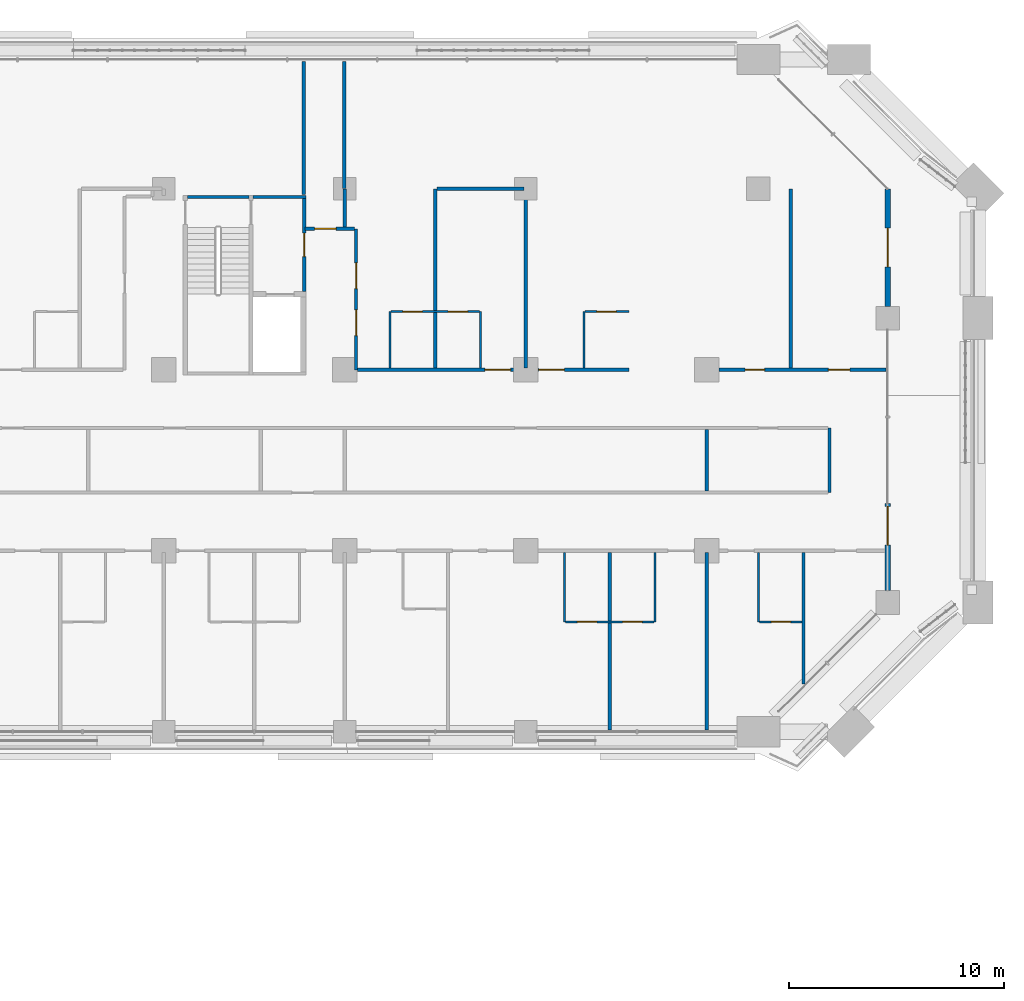
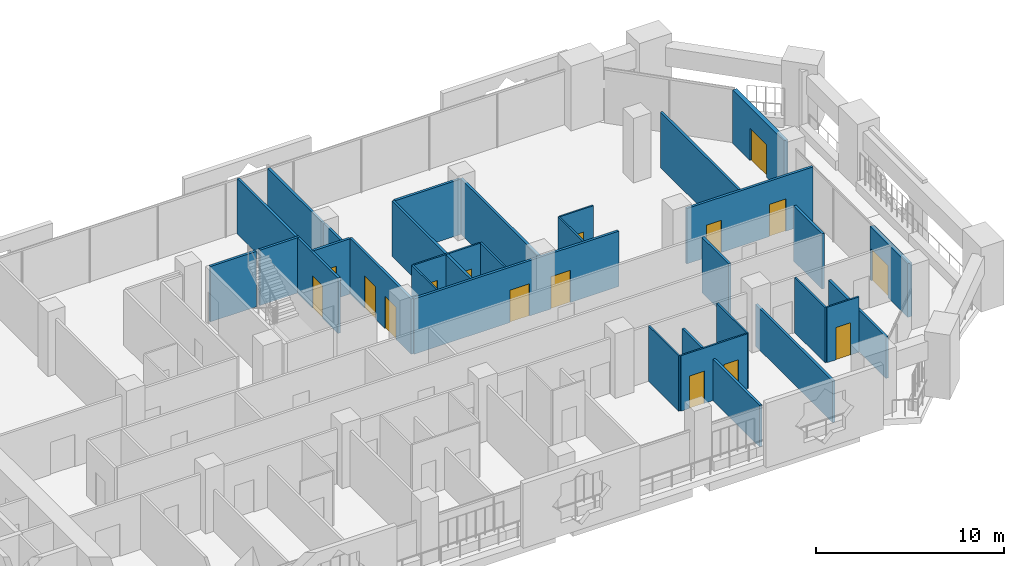
# One storey, part 18 of 27: 31 walls, 16 doors, 16 openings.
"""IFC4 building model written with IfcOpenShell, lengths in metres."""

from ifc_helpers import new_model, si_unit, direction, frame, frame_2d, origin, place, context, subcontext, project, spatial, rectangle, extrude, material, layer, layer_set, type_object, element, fill, save


model = new_model("IFC4")

# Units and contexts
model_context = context("Model", 3, precision=1e-05, world=origin(), true_north=direction((0.0, 1.0)))
body_context = subcontext(model_context, "Body", "Model", "MODEL_VIEW")
ifc_project = project(units=[si_unit("LENGTHUNIT", "METRE"), si_unit("AREAUNIT", "SQUARE_METRE"), si_unit("VOLUMEUNIT", "CUBIC_METRE"), si_unit("PLANEANGLEUNIT", "RADIAN"), si_unit("MASSUNIT", "GRAM", prefix="KILO")], contexts=[model_context])

# Site, building, storey
site_placement = place(None, origin())
site = spatial("IfcSite", under=ifc_project, at=site_placement, CompositionType="ELEMENT")
building_placement = place(site_placement, origin())
building = spatial("IfcBuilding", under=site, at=building_placement, Name="Kawkab Arch Medical Tower", CompositionType="ELEMENT")
storey_placement = place(building_placement, frame((0.0, 0.0, 115.60009765625)))
storey = spatial("IfcBuildingStorey", under=building, at=storey_placement, Name="L26", CompositionType="ELEMENT", Elevation=115.60009765625)

# Wall, opening, door
ifc_material_1 = material(Name="Gypsum board on steel studs", Category="steel")
ifc_layer_1 = layer(ifc_material_1, 0.14990234375)
ifc_layer_set_1 = layer_set([ifc_layer_1], Name="Gypsum board on steel studs")
wall_type_1 = type_object("IfcWallType", Name="Core room partition 150", PredefinedType="PARTITIONING", material=ifc_layer_set_1)
wall_1_placement = place(storey_placement, frame((48.52490234375, -4.77490234375, 0.0), z_axis=(0.0, 0.0, 1.0), x_axis=(0.0, 1.0, 0.0)))
wall_1 = element("IfcWall", 1, at=wall_1_placement, inside=storey, type_object=wall_type_1, Name="L26 core room partition", PredefinedType="PARTITIONING", context=body_context, shape_type="SweptSolid", body=[
    extrude(rectangle(XDim=4.324951171875, YDim=0.14990234375, at=frame_2d((2.16259765625, 0.0))), origin(), (0.0, 0.0, 1.0), 3.599853515625),
])
opening_1_placement = place(wall_1_placement, frame((1.625, 0.0, 0.0)))
opening_1 = element("IfcOpeningElement", 2, at=opening_1_placement, cuts=wall_1, Name="Opening FD", PredefinedType="OPENING", context=body_context, shape_type="SweptSolid", body=[
    extrude(rectangle(XDim=1.10009765625, YDim=2.10009765625, at=frame_2d((0.550048828125, 1.050048828125))), frame((0.0, 0.0849609375, 0.0), z_axis=(0.0, -1.0, 0.0), x_axis=(1.0, 0.0, 0.0)), (0.0, 0.0, 1.0), 0.169921875),
])
ifc_material_2 = material(Name="Hollow metal fire door leaf")
door_type_1 = type_object("IfcDoorType", Name="Firefighting lobby door 1100", OperationType="SINGLE_SWING_LEFT", PredefinedType="DOOR", material=ifc_material_2)
door_1_placement = place(opening_1_placement, origin())
door_1 = element("IfcDoor", 3, at=door_1_placement, inside=storey, type_object=door_type_1, Name="L26 Service lift lobby door SV1", OperationType="SINGLE_SWING_LEFT", OverallHeight=2.10009765625, OverallWidth=1.10009765625, PredefinedType="DOOR", context=body_context, shape_type="SweptSolid", body=[
    extrude(rectangle(XDim=1.10009765625, YDim=2.10009765625, at=frame_2d((0.550048828125, 1.050048828125))), frame((0.0, 0.02490234375, 0.0), z_axis=(0.0, -1.0, 0.0), x_axis=(1.0, 0.0, 0.0)), (0.0, 0.0, 1.0), 0.050048828125),
])
fill(opening_1, door_1)

ifc_material_3 = material(Name="Bronze clad insulated wall panel")
ifc_layer_2 = layer(ifc_material_3, 0.25)
ifc_layer_set_2 = layer_set([ifc_layer_2], Name="Bronze clad insulated wall panel")
wall_type_2 = type_object("IfcWallType", Name="External wall bay 250", PredefinedType="SOLIDWALL", material=ifc_layer_set_2)
wall_2_placement = place(storey_placement, frame((75.60009765625, -18.64990234375, 0.0), z_axis=(0.0, 0.0, 1.0), x_axis=(0.0, 1.0, 0.0)))
wall_2 = element("IfcWall", 4, at=wall_2_placement, inside=storey, type_object=wall_type_2, Name="External wall bay L26.R09.1.1", PredefinedType="SOLIDWALL", context=body_context, shape_type="SweptSolid", body=[
    extrude(rectangle(XDim=4.033203125, YDim=0.25, at=frame_2d((2.0166015625, 0.0))), origin(), (0.0, 0.0, 1.0), 3.47998046875),
])
opening_2_placement = place(wall_2_placement, frame((2.11669921875, 0.0, 0.0)))
opening_2 = element("IfcOpeningElement", 5, at=opening_2_placement, cuts=wall_2, Name="Opening W26-701", PredefinedType="OPENING", context=body_context, shape_type="SweptSolid", body=[
    extrude(rectangle(XDim=1.800048828125, YDim=2.10009765625, at=frame_2d((0.89990234375, 1.050048828125))), frame((0.0, 0.135009765625, 0.0), z_axis=(0.0, -1.0, 0.0), x_axis=(1.0, 0.0, 0.0)), (0.0, 0.0, 1.0), 0.27001953125),
])
ifc_material_4 = material(Name="Bronze anodised aluminium door with tinted glass", Category="aluminium")
door_type_2 = type_object("IfcDoorType", Name="Double external door 1800 x 2100", OperationType="DOUBLE_DOOR_SINGLE_SWING", PredefinedType="DOOR", material=ifc_material_4)
door_2_placement = place(opening_2_placement, origin())
door_2 = element("IfcDoor", 6, at=door_2_placement, inside=storey, type_object=door_type_2, Name="External door L26.R09.1.1", OperationType="DOUBLE_DOOR_SINGLE_SWING", OverallHeight=2.10009765625, OverallWidth=1.800048828125, PredefinedType="DOOR", context=body_context, shape_type="SweptSolid", body=[
    extrude(rectangle(XDim=1.800048828125, YDim=2.10009765625, at=frame_2d((0.89990234375, 1.050048828125))), frame((0.0, 0.02490234375, 0.0), z_axis=(0.0, -1.0, 0.0), x_axis=(1.0, 0.0, 0.0)), (0.0, 0.0, 1.0), 0.050048828125),
])
fill(opening_2, door_2)

wall_3_placement = place(storey_placement, frame((75.60009765625, -5.449951171875, 0.0), z_axis=(0.0, 0.0, 1.0), x_axis=(0.0, 1.0, 0.0)))
wall_3 = element("IfcWall", 7, at=wall_3_placement, inside=storey, type_object=wall_type_2, Name="External wall bay L26.R09.2.1", PredefinedType="SOLIDWALL", context=body_context, shape_type="SweptSolid", body=[
    extrude(rectangle(XDim=5.449951171875, YDim=0.25, at=frame_2d((2.72509765625, 0.0))), origin(), (0.0, 0.0, 1.0), 3.47998046875),
])
opening_3_placement = place(wall_3_placement, frame((1.824951171875, 0.0, 0.0)))
opening_3 = element("IfcOpeningElement", 8, at=opening_3_placement, cuts=wall_3, Name="Opening W26-701", PredefinedType="OPENING", context=body_context, shape_type="SweptSolid", body=[
    extrude(rectangle(XDim=1.800048828125, YDim=2.10009765625, at=frame_2d((0.89990234375, 1.050048828125))), frame((0.0, 0.135009765625, 0.0), z_axis=(0.0, -1.0, 0.0), x_axis=(1.0, 0.0, 0.0)), (0.0, 0.0, 1.0), 0.27001953125),
])
door_3_placement = place(opening_3_placement, origin())
door_3 = element("IfcDoor", 9, at=door_3_placement, inside=storey, type_object=door_type_2, Name="External door L26.R09.2.1", OperationType="DOUBLE_DOOR_SINGLE_SWING", OverallHeight=2.10009765625, OverallWidth=1.800048828125, PredefinedType="DOOR", context=body_context, shape_type="SweptSolid", body=[
    extrude(rectangle(XDim=1.800048828125, YDim=2.10009765625, at=frame_2d((0.89990234375, 1.050048828125))), frame((0.0, 0.02490234375, 0.0), z_axis=(0.0, -1.0, 0.0), x_axis=(1.0, 0.0, 0.0)), (0.0, 0.0, 1.0), 0.050048828125),
])
fill(opening_3, door_3)

# Wall, openings, doors
ifc_material_5 = material(Name="Gypsum board partition on steel studs", Category="steel")
ifc_layer_3 = layer(ifc_material_5, 0.10009765625)
ifc_layer_set_3 = layer_set([ifc_layer_3], Name="Gypsum board partition on steel studs")
wall_type_3 = type_object("IfcWallType", Name="Partition 100", PredefinedType="PARTITIONING", material=ifc_layer_set_3)
wall_4_placement = place(storey_placement, frame((60.652099609375, -20.10009765625, 0.0), z_axis=(0.0, 0.0, 1.0), x_axis=(1.0, 0.0, 0.0)))
wall_4 = element("IfcWall", 10, at=wall_4_placement, inside=storey, type_object=wall_type_3, Name="Partition 100 w007", PredefinedType="PARTITIONING", context=body_context, shape_type="SweptSolid", body=[
    extrude(rectangle(XDim=4.097900390625, YDim=0.10009765625, at=frame_2d((2.048828125, 0.0))), origin(), (0.0, 0.0, 1.0), 3.599853515625),
])
opening_4_placement = place(wall_4_placement, frame((0.549072265625, 0.0, 0.0)))
opening_4 = element("IfcOpeningElement", 11, at=opening_4_placement, cuts=wall_4, Name="Opening W26-017", PredefinedType="OPENING", context=body_context, shape_type="SweptSolid", body=[
    extrude(rectangle(XDim=0.89990234375, YDim=2.10009765625, at=frame_2d((0.449951171875, 1.050048828125))), frame((0.0, 0.06005859375, 0.0), z_axis=(0.0, -1.0, 0.0), x_axis=(1.0, 0.0, 0.0)), (0.0, 0.0, 1.0), 0.1201171875),
])
opening_5_placement = place(wall_4_placement, frame((2.64794921875, 0.0, 0.0)))
opening_5 = element("IfcOpeningElement", 12, at=opening_5_placement, cuts=wall_4, Name="Opening W26-018", PredefinedType="OPENING", context=body_context, shape_type="SweptSolid", body=[
    extrude(rectangle(XDim=0.89990234375, YDim=2.10009765625, at=frame_2d((0.449951171875, 1.050048828125))), frame((0.0, 0.06005859375, 0.0), z_axis=(0.0, -1.0, 0.0), x_axis=(1.0, 0.0, 0.0)), (0.0, 0.0, 1.0), 0.1201171875),
])
ifc_material_6 = material(Name="Timber door leaf", Category="wood")
door_type_3 = type_object("IfcDoorType", Name="Single door 900x2100", OperationType="NOTDEFINED", PredefinedType="DOOR", material=ifc_material_6)
door_4_placement = place(opening_4_placement, origin())
door_4 = element("IfcDoor", 13, at=door_4_placement, inside=storey, type_object=door_type_3, Name="Door W26-017", OperationType="SINGLE_SWING_RIGHT", OverallHeight=2.10009765625, OverallWidth=0.89990234375, PredefinedType="DOOR", context=body_context, shape_type="SweptSolid", body=[
    extrude(rectangle(XDim=0.89990234375, YDim=2.10009765625, at=frame_2d((0.449951171875, 1.050048828125))), frame((0.0, 0.02490234375, 0.0), z_axis=(0.0, -1.0, 0.0), x_axis=(1.0, 0.0, 0.0)), (0.0, 0.0, 1.0), 0.050048828125),
])
fill(opening_4, door_4)
door_5_placement = place(opening_5_placement, origin())
door_5 = element("IfcDoor", 14, at=door_5_placement, inside=storey, type_object=door_type_3, Name="Door W26-018", OperationType="SINGLE_SWING_LEFT", OverallHeight=2.10009765625, OverallWidth=0.89990234375, PredefinedType="DOOR", context=body_context, shape_type="SweptSolid", body=[
    extrude(rectangle(XDim=0.89990234375, YDim=2.10009765625, at=frame_2d((0.449951171875, 1.050048828125))), frame((0.0, 0.02490234375, 0.0), z_axis=(0.0, -1.0, 0.0), x_axis=(1.0, 0.0, 0.0)), (0.0, 0.0, 1.0), 0.050048828125),
])
fill(opening_5, door_5)

# Wall, opening, door
wall_5_placement = place(storey_placement, frame((69.64990234375, -20.10009765625, 0.0), z_axis=(0.0, 0.0, 1.0), x_axis=(1.0, 0.0, 0.0)))
wall_5 = element("IfcWall", 15, at=wall_5_placement, inside=storey, type_object=wall_type_3, Name="Partition 100 w008", PredefinedType="PARTITIONING", context=body_context, shape_type="SweptSolid", body=[
    extrude(rectangle(XDim=1.97509765625, YDim=0.10009765625, at=frame_2d((0.987548828125, 0.0))), origin(), (0.0, 0.0, 1.0), 3.599853515625),
])
opening_6_placement = place(wall_5_placement, frame((0.550048828125, 0.0, 0.0)))
opening_6 = element("IfcOpeningElement", 16, at=opening_6_placement, cuts=wall_5, Name="Opening W26-019", PredefinedType="OPENING", context=body_context, shape_type="SweptSolid", body=[
    extrude(rectangle(XDim=0.89990234375, YDim=2.10009765625, at=frame_2d((0.449951171875, 1.050048828125))), frame((0.0, 0.06005859375, 0.0), z_axis=(0.0, -1.0, 0.0), x_axis=(1.0, 0.0, 0.0)), (0.0, 0.0, 1.0), 0.1201171875),
])
door_6_placement = place(opening_6_placement, origin())
door_6 = element("IfcDoor", 17, at=door_6_placement, inside=storey, type_object=door_type_3, Name="Door W26-019", OperationType="SINGLE_SWING_LEFT", OverallHeight=2.10009765625, OverallWidth=0.89990234375, PredefinedType="DOOR", context=body_context, shape_type="SweptSolid", body=[
    extrude(rectangle(XDim=0.89990234375, YDim=2.10009765625, at=frame_2d((0.449951171875, 1.050048828125))), frame((0.0, 0.02490234375, 0.0), z_axis=(0.0, -1.0, 0.0), x_axis=(1.0, 0.0, 0.0)), (0.0, 0.0, 1.0), 0.050048828125),
])
fill(opening_6, door_6)

# Wall, openings, doors
wall_6_placement = place(storey_placement, frame((52.550048828125, -5.699951171875, 0.0), z_axis=(0.0, 0.0, 1.0), x_axis=(1.0, 0.0, 0.0)))
wall_6 = element("IfcWall", 18, at=wall_6_placement, inside=storey, type_object=wall_type_3, Name="Partition 100 w011", PredefinedType="PARTITIONING", context=body_context, shape_type="SweptSolid", body=[
    extrude(rectangle(XDim=4.099853515625, YDim=0.10009765625, at=frame_2d((2.0498046875, 0.0))), origin(), (0.0, 0.0, 1.0), 3.599853515625),
])
opening_7_placement = place(wall_6_placement, frame((0.550048828125, 0.0, 0.0)))
opening_7 = element("IfcOpeningElement", 19, at=opening_7_placement, cuts=wall_6, Name="Opening W26-007", PredefinedType="OPENING", context=body_context, shape_type="SweptSolid", body=[
    extrude(rectangle(XDim=0.89990234375, YDim=2.10009765625, at=frame_2d((0.449951171875, 1.050048828125))), frame((0.0, 0.06005859375, 0.0), z_axis=(0.0, -1.0, 0.0), x_axis=(1.0, 0.0, 0.0)), (0.0, 0.0, 1.0), 0.1201171875),
])
opening_8_placement = place(wall_6_placement, frame((2.64990234375, 0.0, 0.0)))
opening_8 = element("IfcOpeningElement", 20, at=opening_8_placement, cuts=wall_6, Name="Opening W26-008", PredefinedType="OPENING", context=body_context, shape_type="SweptSolid", body=[
    extrude(rectangle(XDim=0.89990234375, YDim=2.10009765625, at=frame_2d((0.449951171875, 1.050048828125))), frame((0.0, 0.06005859375, 0.0), z_axis=(0.0, -1.0, 0.0), x_axis=(1.0, 0.0, 0.0)), (0.0, 0.0, 1.0), 0.1201171875),
])
door_7_placement = place(opening_7_placement, origin())
door_7 = element("IfcDoor", 21, at=door_7_placement, inside=storey, type_object=door_type_3, Name="Door W26-007", OperationType="SINGLE_SWING_LEFT", OverallHeight=2.10009765625, OverallWidth=0.89990234375, PredefinedType="DOOR", context=body_context, shape_type="SweptSolid", body=[
    extrude(rectangle(XDim=0.89990234375, YDim=2.10009765625, at=frame_2d((0.449951171875, 1.050048828125))), frame((0.0, 0.02490234375, 0.0), z_axis=(0.0, -1.0, 0.0), x_axis=(1.0, 0.0, 0.0)), (0.0, 0.0, 1.0), 0.050048828125),
])
fill(opening_7, door_7)
door_8_placement = place(opening_8_placement, origin())
door_8 = element("IfcDoor", 22, at=door_8_placement, inside=storey, type_object=door_type_3, Name="Door W26-008", OperationType="SINGLE_SWING_RIGHT", OverallHeight=2.10009765625, OverallWidth=0.89990234375, PredefinedType="DOOR", context=body_context, shape_type="SweptSolid", body=[
    extrude(rectangle(XDim=0.89990234375, YDim=2.10009765625, at=frame_2d((0.449951171875, 1.050048828125))), frame((0.0, 0.02490234375, 0.0), z_axis=(0.0, -1.0, 0.0), x_axis=(1.0, 0.0, 0.0)), (0.0, 0.0, 1.0), 0.050048828125),
])
fill(opening_8, door_8)

# Wall, opening, door
wall_7_placement = place(storey_placement, frame((61.550048828125, -5.699951171875, 0.0), z_axis=(0.0, 0.0, 1.0), x_axis=(1.0, 0.0, 0.0)))
wall_7 = element("IfcWall", 23, at=wall_7_placement, inside=storey, type_object=wall_type_3, Name="Partition 100 w012", PredefinedType="PARTITIONING", context=body_context, shape_type="SweptSolid", body=[
    extrude(rectangle(XDim=2.050048828125, YDim=0.10009765625, at=frame_2d((1.02490234375, 0.0))), origin(), (0.0, 0.0, 1.0), 3.599853515625),
])
opening_9_placement = place(wall_7_placement, frame((0.550048828125, 0.0, 0.0)))
opening_9 = element("IfcOpeningElement", 24, at=opening_9_placement, cuts=wall_7, Name="Opening W26-009", PredefinedType="OPENING", context=body_context, shape_type="SweptSolid", body=[
    extrude(rectangle(XDim=0.89990234375, YDim=2.10009765625, at=frame_2d((0.449951171875, 1.050048828125))), frame((0.0, 0.06005859375, 0.0), z_axis=(0.0, -1.0, 0.0), x_axis=(1.0, 0.0, 0.0)), (0.0, 0.0, 1.0), 0.1201171875),
])
door_9_placement = place(opening_9_placement, origin())
door_9 = element("IfcDoor", 25, at=door_9_placement, inside=storey, type_object=door_type_3, Name="Door W26-009", OperationType="SINGLE_SWING_RIGHT", OverallHeight=2.10009765625, OverallWidth=0.89990234375, PredefinedType="DOOR", context=body_context, shape_type="SweptSolid", body=[
    extrude(rectangle(XDim=0.89990234375, YDim=2.10009765625, at=frame_2d((0.449951171875, 1.050048828125))), frame((0.0, 0.02490234375, 0.0), z_axis=(0.0, -1.0, 0.0), x_axis=(1.0, 0.0, 0.0)), (0.0, 0.0, 1.0), 0.050048828125),
])
fill(opening_9, door_9)

# Walls
for number, where, z_axis, x_axis, name in (
    (26, (52.5, -8.324951171875, 0.0), (0.0, 0.0, 1.0), (0.0, 1.0, 0.0), "Partition 100 w020"),
    (27, (56.699951171875, -8.324951171875, 0.0), (0.0, 0.0, 1.0), (0.0, 1.0, 0.0), "Partition 100 w022"),
):
    element("IfcWall", number, at=place(storey_placement, frame(where, z_axis=z_axis, x_axis=x_axis)), inside=storey, type_object=wall_type_3, Name=name, PredefinedType="PARTITIONING", context=body_context, shape_type="SweptSolid", body=[
        extrude(rectangle(XDim=2.625, YDim=0.10009765625, at=frame_2d((1.3125, 0.0))), origin(), (0.0, 0.0, 1.0), 3.599853515625),
    ])
wall_8_placement = place(storey_placement, frame((60.60009765625, -20.09912109375, 0.0), z_axis=(0.0, 0.0, 1.0), x_axis=(0.0, 1.0, 0.0)))
element("IfcWall", 28, at=wall_8_placement, inside=storey, type_object=wall_type_3, Name="Partition 100 w023", PredefinedType="PARTITIONING", context=body_context, shape_type="SweptSolid", body=[
    extrude(rectangle(XDim=3.22412109375, YDim=0.10009765625, at=frame_2d((1.612060546875, 0.0))), origin(), (0.0, 0.0, 1.0), 3.599853515625),
])
wall_9_placement = place(storey_placement, frame((61.5, -8.324951171875, 0.0), z_axis=(0.0, 0.0, 1.0), x_axis=(0.0, 1.0, 0.0)))
element("IfcWall", 29, at=wall_9_placement, inside=storey, type_object=wall_type_3, Name="Partition 100 w024", PredefinedType="PARTITIONING", context=body_context, shape_type="SweptSolid", body=[
    extrude(rectangle(XDim=2.625, YDim=0.10009765625, at=frame_2d((1.3125, 0.0))), origin(), (0.0, 0.0, 1.0), 3.599853515625),
])
for number, where, z_axis, x_axis, name in (
    (30, (64.800048828125, -20.10009765625, 0.0), (0.0, 0.0, 1.0), (0.0, 1.0, 0.0), "Partition 100 w025"),
    (31, (69.60009765625, -20.10009765625, 0.0), (0.0, 0.0, 1.0), (0.0, 1.0, 0.0), "Partition 100 w026"),
):
    element("IfcWall", number, at=place(storey_placement, frame(where, z_axis=z_axis, x_axis=x_axis)), inside=storey, type_object=wall_type_3, Name=name, PredefinedType="PARTITIONING", context=body_context, shape_type="SweptSolid", body=[
        extrude(rectangle(XDim=3.22509765625, YDim=0.10009765625, at=frame_2d((1.612548828125, 0.0))), origin(), (0.0, 0.0, 1.0), 3.599853515625),
    ])

# Wall, openings, doors
ifc_material_7 = material(Name="Gypsum board partition on steel studs, mineral wool", Category="steel")
ifc_layer_4 = layer(ifc_material_7, 0.14990234375)
ifc_layer_set_4 = layer_set([ifc_layer_4], Name="Gypsum board partition on steel studs, mineral wool")
wall_type_4 = type_object("IfcWallType", Name="Partition 150", PredefinedType="PARTITIONING", material=ifc_layer_set_4)
wall_10_placement = place(storey_placement, frame((51.0, -8.39990234375, 0.0), z_axis=(0.0, 0.0, 1.0), x_axis=(1.0, 0.0, 0.0)))
wall_10 = element("IfcWall", 32, at=wall_10_placement, inside=storey, type_object=wall_type_4, Name="Partition 150 w049", PredefinedType="PARTITIONING", context=body_context, shape_type="SweptSolid", body=[
    extrude(rectangle(XDim=12.60009765625, YDim=0.14990234375, at=frame_2d((6.300048828125, 0.0))), origin(), (0.0, 0.0, 1.0), 3.599853515625),
])
opening_10_placement = place(wall_10_placement, frame((5.89990234375, 0.0, 0.0)))
opening_10 = element("IfcOpeningElement", 33, at=opening_10_placement, cuts=wall_10, Name="Opening W26-041", PredefinedType="OPENING", context=body_context, shape_type="SweptSolid", body=[
    extrude(rectangle(XDim=1.199951171875, YDim=2.10009765625, at=frame_2d((0.60009765625, 1.050048828125))), frame((0.0, 0.0849609375, 0.0), z_axis=(0.0, -1.0, 0.0), x_axis=(1.0, 0.0, 0.0)), (0.0, 0.0, 1.0), 0.169921875),
])
opening_11_placement = place(wall_10_placement, frame((8.39990234375, 0.0, 0.0)))
opening_11 = element("IfcOpeningElement", 34, at=opening_11_placement, cuts=wall_10, Name="Opening W26-042", PredefinedType="OPENING", context=body_context, shape_type="SweptSolid", body=[
    extrude(rectangle(XDim=1.199951171875, YDim=2.10009765625, at=frame_2d((0.60009765625, 1.050048828125))), frame((0.0, 0.0849609375, 0.0), z_axis=(0.0, -1.0, 0.0), x_axis=(1.0, 0.0, 0.0)), (0.0, 0.0, 1.0), 0.169921875),
])
ifc_material_8 = material(Name="Hollow metal door leaf")
door_type_4 = type_object("IfcDoorType", Name="Single door 1200x2100 FD30S", OperationType="NOTDEFINED", PredefinedType="DOOR", material=ifc_material_8)
door_10_placement = place(opening_10_placement, origin())
door_10 = element("IfcDoor", 35, at=door_10_placement, inside=storey, type_object=door_type_4, Name="Door W26-041", OperationType="SINGLE_SWING_LEFT", OverallHeight=2.10009765625, OverallWidth=1.199951171875, PredefinedType="DOOR", context=body_context, shape_type="SweptSolid", body=[
    extrude(rectangle(XDim=1.199951171875, YDim=2.10009765625, at=frame_2d((0.60009765625, 1.050048828125))), frame((0.0, 0.02490234375, 0.0), z_axis=(0.0, -1.0, 0.0), x_axis=(1.0, 0.0, 0.0)), (0.0, 0.0, 1.0), 0.050048828125),
])
fill(opening_10, door_10)
door_11_placement = place(opening_11_placement, origin())
door_11 = element("IfcDoor", 36, at=door_11_placement, inside=storey, type_object=door_type_4, Name="Door W26-042", OperationType="SINGLE_SWING_RIGHT", OverallHeight=2.10009765625, OverallWidth=1.199951171875, PredefinedType="DOOR", context=body_context, shape_type="SweptSolid", body=[
    extrude(rectangle(XDim=1.199951171875, YDim=2.10009765625, at=frame_2d((0.60009765625, 1.050048828125))), frame((0.0, 0.02490234375, 0.0), z_axis=(0.0, -1.0, 0.0), x_axis=(1.0, 0.0, 0.0)), (0.0, 0.0, 1.0), 0.050048828125),
])
fill(opening_11, door_11)

wall_11_placement = place(storey_placement, frame((67.77490234375, -8.39990234375, 0.0), z_axis=(0.0, 0.0, 1.0), x_axis=(1.0, 0.0, 0.0)))
wall_11 = element("IfcWall", 37, at=wall_11_placement, inside=storey, type_object=wall_type_4, Name="Partition 150 w050", PredefinedType="PARTITIONING", context=body_context, shape_type="SweptSolid", body=[
    extrude(rectangle(XDim=7.7451171875, YDim=0.14990234375, at=frame_2d((3.87255859375, 0.0))), origin(), (0.0, 0.0, 1.0), 3.599853515625),
])
opening_12_placement = place(wall_11_placement, frame((1.2119140625, 0.0, 0.0)))
opening_12 = element("IfcOpeningElement", 38, at=opening_12_placement, cuts=wall_11, Name="Opening W26-010", PredefinedType="OPENING", context=body_context, shape_type="SweptSolid", body=[
    extrude(rectangle(XDim=0.89990234375, YDim=2.10009765625, at=frame_2d((0.449951171875, 1.050048828125))), frame((0.0, 0.0849609375, 0.0), z_axis=(0.0, -1.0, 0.0), x_axis=(1.0, 0.0, 0.0)), (0.0, 0.0, 1.0), 0.169921875),
])
opening_13_placement = place(wall_11_placement, frame((5.074951171875, 0.0, 0.0)))
opening_13 = element("IfcOpeningElement", 39, at=opening_13_placement, cuts=wall_11, Name="Opening W26-027", PredefinedType="OPENING", context=body_context, shape_type="SweptSolid", body=[
    extrude(rectangle(XDim=1.0, YDim=2.10009765625, at=frame_2d((0.5, 1.050048828125))), frame((0.0, 0.0849609375, 0.0), z_axis=(0.0, -1.0, 0.0), x_axis=(1.0, 0.0, 0.0)), (0.0, 0.0, 1.0), 0.169921875),
])
ifc_material_9 = material(Name="Hollow metal door leaf")
door_type_5 = type_object("IfcDoorType", Name="Single door 1000x2100 FD30S", OperationType="NOTDEFINED", PredefinedType="DOOR", material=ifc_material_9)
door_12_placement = place(opening_13_placement, origin())
door_12 = element("IfcDoor", 40, at=door_12_placement, inside=storey, type_object=door_type_5, Name="Door W26-027", OperationType="SINGLE_SWING_RIGHT", OverallHeight=2.10009765625, OverallWidth=1.0, PredefinedType="DOOR", context=body_context, shape_type="SweptSolid", body=[
    extrude(rectangle(XDim=1.0, YDim=2.10009765625, at=frame_2d((0.5, 1.050048828125))), frame((0.0, 0.02490234375, 0.0), z_axis=(0.0, -1.0, 0.0), x_axis=(1.0, 0.0, 0.0)), (0.0, 0.0, 1.0), 0.050048828125),
])
fill(opening_13, door_12)
door_13_placement = place(opening_12_placement, origin())
door_13 = element("IfcDoor", 41, at=door_13_placement, inside=storey, type_object=door_type_3, Name="Door W26-010", OperationType="SINGLE_SWING_LEFT", OverallHeight=2.10009765625, OverallWidth=0.89990234375, PredefinedType="DOOR", context=body_context, shape_type="SweptSolid", body=[
    extrude(rectangle(XDim=0.89990234375, YDim=2.10009765625, at=frame_2d((0.449951171875, 1.050048828125))), frame((0.0, 0.02490234375, 0.0), z_axis=(0.0, -1.0, 0.0), x_axis=(1.0, 0.0, 0.0)), (0.0, 0.0, 1.0), 0.050048828125),
])
fill(opening_12, door_13)

# Wall, opening, door
wall_12_placement = place(storey_placement, frame((48.550048828125, -1.85009765625, 0.0), z_axis=(0.0, 0.0, 1.0), x_axis=(1.0, 0.0, 0.0)))
wall_12 = element("IfcWall", 42, at=wall_12_placement, inside=storey, type_object=wall_type_4, Name="Partition 150 w052", PredefinedType="PARTITIONING", context=body_context, shape_type="SweptSolid", body=[
    extrude(rectangle(XDim=2.2978515625, YDim=0.14990234375, at=frame_2d((1.14892578125, 0.0))), origin(), (0.0, 0.0, 1.0), 3.599853515625),
])
opening_14_placement = place(wall_12_placement, frame((0.449951171875, 0.0, 0.0)))
opening_14 = element("IfcOpeningElement", 43, at=opening_14_placement, cuts=wall_12, Name="Opening W26-026", PredefinedType="OPENING", context=body_context, shape_type="SweptSolid", body=[
    extrude(rectangle(XDim=1.0, YDim=2.10009765625, at=frame_2d((0.5, 1.050048828125))), frame((0.0, 0.0849609375, 0.0), z_axis=(0.0, -1.0, 0.0), x_axis=(1.0, 0.0, 0.0)), (0.0, 0.0, 1.0), 0.169921875),
])
door_14_placement = place(opening_14_placement, origin())
door_14 = element("IfcDoor", 44, at=door_14_placement, inside=storey, type_object=door_type_5, Name="Door W26-026", OperationType="SINGLE_SWING_LEFT", OverallHeight=2.10009765625, OverallWidth=1.0, PredefinedType="DOOR", context=body_context, shape_type="SweptSolid", body=[
    extrude(rectangle(XDim=1.0, YDim=2.10009765625, at=frame_2d((0.5, 1.050048828125))), frame((0.0, 0.02490234375, 0.0), z_axis=(0.0, -1.0, 0.0), x_axis=(1.0, 0.0, 0.0)), (0.0, 0.0, 1.0), 0.050048828125),
])
fill(opening_14, door_14)

# Walls
wall_13_placement = place(storey_placement, frame((54.677978515625, 0.0, 0.0), z_axis=(0.0, 0.0, 1.0), x_axis=(1.0, 0.0, 0.0)))
element("IfcWall", 45, at=wall_13_placement, inside=storey, type_object=wall_type_4, Name="Partition 150 w055", PredefinedType="PARTITIONING", context=body_context, shape_type="SweptSolid", body=[
    extrude(rectangle(XDim=4.047119140625, YDim=0.14990234375, at=frame_2d((2.0234375, 0.0))), origin(), (0.0, 0.0, 1.0), 3.599853515625),
])
wall_14_placement = place(storey_placement, frame((48.5, -0.27001953125, 0.0), z_axis=(0.0, 0.0, 1.0), x_axis=(0.0, 1.0, 0.0)))
element("IfcWall", 46, at=wall_14_placement, inside=storey, type_object=wall_type_4, Name="Partition 150 w079", PredefinedType="PARTITIONING", context=body_context, shape_type="SweptSolid", body=[
    extrude(rectangle(XDim=6.18994140625, YDim=0.14990234375, at=frame_2d((3.094970703125, 0.0))), origin(), (0.0, 0.0, 1.0), 3.599853515625),
])
wall_15_placement = place(storey_placement, frame((50.3798828125, 0.02001953125, 0.0), z_axis=(0.0, 0.0, 1.0), x_axis=(0.0, 1.0, 0.0)))
element("IfcWall", 47, at=wall_15_placement, inside=storey, type_object=wall_type_4, Name="Partition 150 w080", PredefinedType="PARTITIONING", context=body_context, shape_type="SweptSolid", body=[
    extrude(rectangle(XDim=5.89990234375, YDim=0.14990234375, at=frame_2d((2.949951171875, 0.0))), origin(), (0.0, 0.0, 1.0), 3.599853515625),
])
wall_16_placement = place(storey_placement, frame((50.39990234375, -1.77490234375, 0.0), z_axis=(0.0, 0.0, 1.0), x_axis=(0.0, 1.0, 0.0)))
element("IfcWall", 48, at=wall_16_placement, inside=storey, type_object=wall_type_4, Name="Partition 150 w083", PredefinedType="PARTITIONING", context=body_context, shape_type="SweptSolid", body=[
    extrude(rectangle(XDim=1.77294921875, YDim=0.14990234375, at=frame_2d((0.886474609375, 0.0))), origin(), (0.0, 0.0, 1.0), 3.599853515625),
])

# Wall, openings, doors
wall_17_placement = place(storey_placement, frame((50.925048828125, -8.39990234375, 0.0), z_axis=(0.0, 0.0, 1.0), x_axis=(0.0, 1.0, 0.0)))
wall_17 = element("IfcWall", 49, at=wall_17_placement, inside=storey, type_object=wall_type_4, Name="Partition 150 w084", PredefinedType="PARTITIONING", context=body_context, shape_type="SweptSolid", body=[
    extrude(rectangle(XDim=6.5478515625, YDim=0.14990234375, at=frame_2d((3.27392578125, 0.0))), origin(), (0.0, 0.0, 1.0), 3.599853515625),
])
opening_15_placement = place(wall_17_placement, frame((3.764892578125, 0.0, 0.0)))
opening_15 = element("IfcOpeningElement", 50, at=opening_15_placement, cuts=wall_17, Name="Opening W26-039", PredefinedType="OPENING", context=body_context, shape_type="SweptSolid", body=[
    extrude(rectangle(XDim=1.199951171875, YDim=2.10009765625, at=frame_2d((0.60009765625, 1.050048828125))), frame((0.0, 0.0849609375, 0.0), z_axis=(0.0, -1.0, 0.0), x_axis=(1.0, 0.0, 0.0)), (0.0, 0.0, 1.0), 0.169921875),
])
opening_16_placement = place(wall_17_placement, frame((1.5830078125, 0.0, 0.0)))
opening_16 = element("IfcOpeningElement", 51, at=opening_16_placement, cuts=wall_17, Name="Opening W26-040", PredefinedType="OPENING", context=body_context, shape_type="SweptSolid", body=[
    extrude(rectangle(XDim=1.199951171875, YDim=2.10009765625, at=frame_2d((0.60009765625, 1.050048828125))), frame((0.0, 0.0849609375, 0.0), z_axis=(0.0, -1.0, 0.0), x_axis=(1.0, 0.0, 0.0)), (0.0, 0.0, 1.0), 0.169921875),
])
door_15_placement = place(opening_15_placement, origin())
door_15 = element("IfcDoor", 52, at=door_15_placement, inside=storey, type_object=door_type_4, Name="Door W26-039", OperationType="SINGLE_SWING_LEFT", OverallHeight=2.10009765625, OverallWidth=1.199951171875, PredefinedType="DOOR", context=body_context, shape_type="SweptSolid", body=[
    extrude(rectangle(XDim=1.199951171875, YDim=2.10009765625, at=frame_2d((0.60009765625, 1.050048828125))), frame((0.0, 0.02490234375, 0.0), z_axis=(0.0, -1.0, 0.0), x_axis=(1.0, 0.0, 0.0)), (0.0, 0.0, 1.0), 0.050048828125),
])
fill(opening_15, door_15)
door_16_placement = place(opening_16_placement, origin())
door_16 = element("IfcDoor", 53, at=door_16_placement, inside=storey, type_object=door_type_4, Name="Door W26-040", OperationType="SINGLE_SWING_RIGHT", OverallHeight=2.10009765625, OverallWidth=1.199951171875, PredefinedType="DOOR", context=body_context, shape_type="SweptSolid", body=[
    extrude(rectangle(XDim=1.199951171875, YDim=2.10009765625, at=frame_2d((0.60009765625, 1.050048828125))), frame((0.0, 0.02490234375, 0.0), z_axis=(0.0, -1.0, 0.0), x_axis=(1.0, 0.0, 0.0)), (0.0, 0.0, 1.0), 0.050048828125),
])
fill(opening_16, door_16)

# Walls
wall_18_placement = place(storey_placement, frame((54.60009765625, -8.324951171875, 0.0), z_axis=(0.0, 0.0, 1.0), x_axis=(0.0, 1.0, 0.0)))
element("IfcWall", 54, at=wall_18_placement, inside=storey, type_object=wall_type_4, Name="Partition 150 w085", PredefinedType="PARTITIONING", context=body_context, shape_type="SweptSolid", body=[
    extrude(rectangle(XDim=8.322998046875, YDim=0.14990234375, at=frame_2d((4.16162109375, 0.0))), origin(), (0.0, 0.0, 1.0), 3.599853515625),
])
wall_19_placement = place(storey_placement, frame((58.800048828125, -8.324951171875, 0.0), z_axis=(0.0, 0.0, 1.0), x_axis=(0.0, 1.0, 0.0)))
element("IfcWall", 55, at=wall_19_placement, inside=storey, type_object=wall_type_4, Name="Partition 150 w087", PredefinedType="PARTITIONING", context=body_context, shape_type="SweptSolid", body=[
    extrude(rectangle(XDim=8.324951171875, YDim=0.14990234375, at=frame_2d((4.16259765625, 0.0))), origin(), (0.0, 0.0, 1.0), 3.599853515625),
])
for number, where, z_axis, x_axis, name in (
    (56, (62.699951171875, -25.1201171875, 0.0), (0.0, 0.0, 1.0), (0.0, 1.0, 0.0), "Partition 150 w088"),
    (57, (67.199951171875, -25.1201171875, 0.0), (0.0, 0.0, 1.0), (0.0, 1.0, 0.0), "Partition 150 w089"),
):
    element("IfcWall", number, at=place(storey_placement, frame(where, z_axis=z_axis, x_axis=x_axis)), inside=storey, type_object=wall_type_4, Name=name, PredefinedType="PARTITIONING", context=body_context, shape_type="SweptSolid", body=[
        extrude(rectangle(XDim=8.2451171875, YDim=0.14990234375, at=frame_2d((4.12255859375, 0.0))), origin(), (0.0, 0.0, 1.0), 2.699951171875),
    ])
wall_20_placement = place(storey_placement, frame((67.199951171875, -14.02490234375, 0.0), z_axis=(0.0, 0.0, 1.0), x_axis=(0.0, 1.0, 0.0)))
element("IfcWall", 58, at=wall_20_placement, inside=storey, type_object=wall_type_4, Name="Partition 150 w090", PredefinedType="PARTITIONING", context=body_context, shape_type="SweptSolid", body=[
    extrude(rectangle(XDim=2.849853515625, YDim=0.14990234375, at=frame_2d((1.4248046875, 0.0))), origin(), (0.0, 0.0, 1.0), 3.599853515625),
])
wall_21_placement = place(storey_placement, frame((71.10009765625, -8.324951171875, 0.0), z_axis=(0.0, 0.0, 1.0), x_axis=(0.0, 1.0, 0.0)))
element("IfcWall", 59, at=wall_21_placement, inside=storey, type_object=wall_type_4, Name="Partition 150 w091", PredefinedType="PARTITIONING", context=body_context, shape_type="SweptSolid", body=[
    extrude(rectangle(XDim=8.324951171875, YDim=0.14990234375, at=frame_2d((4.16259765625, 0.0))), origin(), (0.0, 0.0, 1.0), 3.599853515625),
])
wall_22_placement = place(storey_placement, frame((71.699951171875, -22.987060546875, 0.0), z_axis=(0.0, 0.0, 1.0), x_axis=(0.0, 1.0, 0.0)))
element("IfcWall", 60, at=wall_22_placement, inside=storey, type_object=wall_type_4, Name="Partition 150 w092", PredefinedType="PARTITIONING", context=body_context, shape_type="SweptSolid", body=[
    extrude(rectangle(XDim=6.112060546875, YDim=0.14990234375, at=frame_2d((3.05615234375, 0.0))), origin(), (0.0, 0.0, 1.0), 2.699951171875),
])
wall_23_placement = place(storey_placement, frame((72.89990234375, -14.10009765625, 0.0), z_axis=(0.0, 0.0, 1.0), x_axis=(0.0, 1.0, 0.0)))
element("IfcWall", 61, at=wall_23_placement, inside=storey, type_object=wall_type_4, Name="Partition 150 w093", PredefinedType="PARTITIONING", context=body_context, shape_type="SweptSolid", body=[
    extrude(rectangle(XDim=3.0, YDim=0.14990234375, at=frame_2d((1.5, 0.0))), origin(), (0.0, 0.0, 1.0), 3.599853515625),
])
ifc_material_10 = material(Name="Concrete C50/60", Category="concrete")
ifc_layer_5 = layer(ifc_material_10, 0.14990234375)
ifc_layer_set_5 = layer_set([ifc_layer_5], Name="Concrete C50/60")
wall_type_5 = type_object("IfcWallType", Name="Stair enclosure wall 150 C50/60", PredefinedType="SHEAR", material=ifc_layer_set_5)
wall_24_placement = place(storey_placement, frame((43.10009765625, -0.375, 0.0), z_axis=(0.0, 0.0, 1.0), x_axis=(1.0, 0.0, 0.0)))
element("IfcWall", 62, at=wall_24_placement, inside=storey, type_object=wall_type_5, Name="L26 stair enclosure wall", PredefinedType="SHEAR", context=body_context, shape_type="SweptSolid", body=[
    extrude(rectangle(XDim=2.849853515625, YDim=0.14990234375, at=frame_2d((1.4248046875, 0.0))), origin(), (0.0, 0.0, 1.0), 3.599853515625),
])
wall_25_placement = place(storey_placement, frame((46.14990234375, -0.375, 0.0), z_axis=(0.0, 0.0, 1.0), x_axis=(1.0, 0.0, 0.0)))
element("IfcWall", 63, at=wall_25_placement, inside=storey, type_object=wall_type_5, Name="L26 stair enclosure wall", PredefinedType="SHEAR", context=body_context, shape_type="SweptSolid", body=[
    extrude(rectangle(XDim=2.4501953125, YDim=0.14990234375, at=frame_2d((1.22509765625, 0.0))), origin(), (0.0, 0.0, 1.0), 3.599853515625),
])

save(model, "model.ifc")
